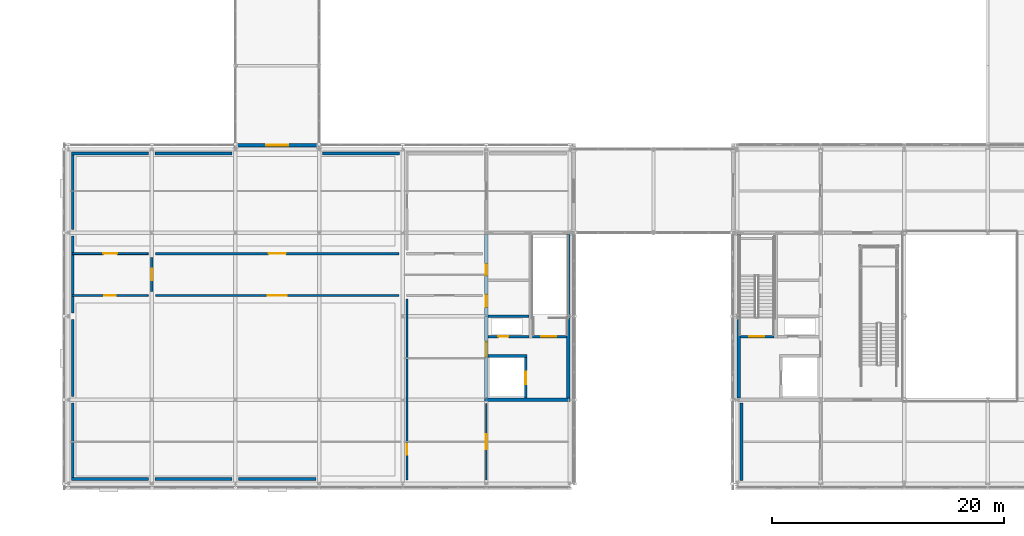
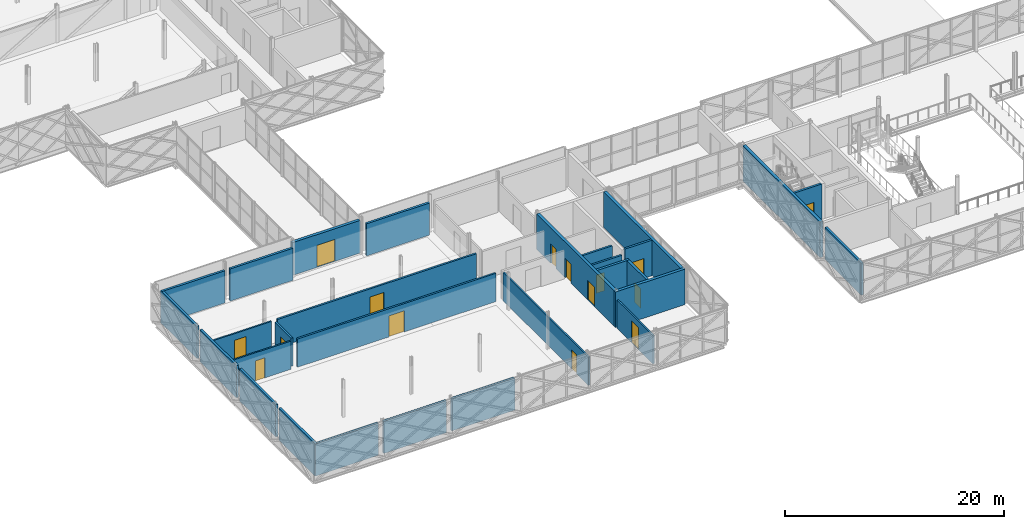
# One storey, part 101 of 126: 29 walls, 15 doors, 15 openings.
"""IFC4 building model written with IfcOpenShell, lengths in metres."""

from ifc_helpers import new_model, si_unit, direction, frame, frame_2d, origin, place, context, subcontext, project, spatial, rectangle, extrude, material, layer, layer_set, type_object, element, fill, save


model = new_model("IFC4")

# Units and contexts
model_context = context("Model", 3, precision=1e-05, world=origin(), true_north=direction((0.0, 1.0)))
body_context = subcontext(model_context, "Body", "Model", "MODEL_VIEW")
ifc_project = project(units=[si_unit("LENGTHUNIT", "METRE"), si_unit("AREAUNIT", "SQUARE_METRE"), si_unit("VOLUMEUNIT", "CUBIC_METRE"), si_unit("PLANEANGLEUNIT", "RADIAN"), si_unit("MASSUNIT", "GRAM", prefix="KILO")], contexts=[model_context])

# Site, building, storey
site_placement = place(None, origin())
site = spatial("IfcSite", under=ifc_project, at=site_placement, CompositionType="ELEMENT")
building_placement = place(site_placement, origin())
building = spatial("IfcBuilding", under=site, at=building_placement, Name="Zlatovets Crest Museum", CompositionType="ELEMENT")
storey_placement = place(building_placement, frame((0.0, 0.0, 8.699951171875)))
storey = spatial("IfcBuildingStorey", under=building, at=storey_placement, Name="L02", CompositionType="ELEMENT", Elevation=8.699951171875)

# Walls
ifc_material_1 = material(Name="Concrete C35/45", Category="concrete")
ifc_layer_1 = layer(ifc_material_1, 0.300048828125)
ifc_layer_set_1 = layer_set([ifc_layer_1], Name="Concrete C35/45")
wall_type_1 = type_object("IfcWallType", Name="CoreWall_SW01", PredefinedType="SHEAR", material=ifc_layer_set_1)
wall_1_placement = place(storey_placement, frame((57.75, 7.35009765625, 0.0), z_axis=(0.0, 0.0, 1.0), x_axis=(0.0, 1.0, 0.0)))
element("IfcWall", 1, at=wall_1_placement, inside=storey, type_object=wall_type_1, Name="Core C2 L02 Perimeter Shear Wall", PredefinedType="SHEAR", context=body_context, shape_type="SweptSolid", body=[
    extrude(rectangle(XDim=14.099853515625, YDim=0.300048828125, at=frame_2d((7.0498046875, 0.0))), origin(), (0.0, 0.0, 1.0), 3.9599609375),
])
wall_2_placement = place(storey_placement, frame((35.85009765625, 7.199951171875, 0.0), z_axis=(0.0, 0.0, 1.0), x_axis=(1.0, 0.0, 0.0)))
element("IfcWall", 2, at=wall_2_placement, inside=storey, type_object=wall_type_1, Name="Core C3 L02 South Shear Wall", PredefinedType="SHEAR", context=body_context, shape_type="SweptSolid", body=[
    extrude(rectangle(XDim=7.349853515625, YDim=0.300048828125, at=frame_2d((3.6748046875, 0.0))), origin(), (0.0, 0.0, 1.0), 3.9599609375),
])
wall_3_placement = place(storey_placement, frame((43.050048828125, 7.35009765625, 0.0), z_axis=(0.0, 0.0, 1.0), x_axis=(0.0, 1.0, 0.0)))
element("IfcWall", 3, at=wall_3_placement, inside=storey, type_object=wall_type_1, Name="Core C3 L02 Perimeter Shear Wall", PredefinedType="SHEAR", context=body_context, shape_type="SweptSolid", body=[
    extrude(rectangle(XDim=14.099853515625, YDim=0.300048828125, at=frame_2d((7.0498046875, 0.0))), origin(), (0.0, 0.0, 1.0), 3.9599609375),
])

# Wall, openings, doors
wall_4_placement = place(storey_placement, frame((36.0, 7.35009765625, 0.0), z_axis=(0.0, 0.0, 1.0), x_axis=(0.0, 1.0, 0.0)))
wall_4 = element("IfcWall", 4, at=wall_4_placement, inside=storey, type_object=wall_type_1, Name="Core C3 L02 Spine Shear Wall", PredefinedType="SHEAR", context=body_context, shape_type="SweptSolid", body=[
    extrude(rectangle(XDim=14.099853515625, YDim=0.300048828125, at=frame_2d((7.0498046875, 0.0))), origin(), (0.0, 0.0, 1.0), 3.9599609375),
])
opening_1_placement = place(wall_4_placement, frame((3.550048828125, 0.0, 0.0)))
opening_1 = element("IfcOpeningElement", 5, at=opening_1_placement, cuts=wall_4, Name="Opening FD-01", PredefinedType="OPENING", context=body_context, shape_type="SweptSolid", body=[
    extrude(rectangle(XDim=1.300048828125, YDim=2.199951171875, at=frame_2d((0.64990234375, 1.10009765625))), frame((0.0, 0.16015625, 0.0), z_axis=(0.0, -1.0, 0.0), x_axis=(1.0, 0.0, 0.0)), (0.0, 0.0, 1.0), 0.320068359375),
])
opening_2_placement = place(wall_4_placement, frame((7.85009765625, 0.0, 0.0)))
opening_2 = element("IfcOpeningElement", 6, at=opening_2_placement, cuts=wall_4, Name="Opening ID-02", PredefinedType="OPENING", context=body_context, shape_type="SweptSolid", body=[
    extrude(rectangle(XDim=1.050048828125, YDim=2.14990234375, at=frame_2d((0.52490234375, 1.074951171875))), frame((0.0, 0.16015625, 0.0), z_axis=(0.0, -1.0, 0.0), x_axis=(1.0, 0.0, 0.0)), (0.0, 0.0, 1.0), 0.320068359375),
])
opening_3_placement = place(wall_4_placement, frame((10.550048828125, 0.0, 0.0)))
opening_3 = element("IfcOpeningElement", 7, at=opening_3_placement, cuts=wall_4, Name="Opening ID-01", PredefinedType="OPENING", context=body_context, shape_type="SweptSolid", body=[
    extrude(rectangle(XDim=1.0, YDim=2.14990234375, at=frame_2d((0.5, 1.074951171875))), frame((0.0, 0.16015625, 0.0), z_axis=(0.0, -1.0, 0.0), x_axis=(1.0, 0.0, 0.0)), (0.0, 0.0, 1.0), 0.320068359375),
])
ifc_material_2 = material(Name="Smoke-sealed steel fire door", Category="steel")
door_type_1 = type_object("IfcDoorType", Name="IntDoor_FD-01", OperationType="NOTDEFINED", PredefinedType="DOOR", material=ifc_material_2)
door_1_placement = place(opening_1_placement, origin())
door_1 = element("IfcDoor", 8, at=door_1_placement, inside=storey, type_object=door_type_1, Name="CDOOR-C3-L02-LOB Core C3 L02 Lobby Fire Door", OperationType="SINGLE_SWING_RIGHT", OverallHeight=2.199951171875, OverallWidth=1.300048828125, PredefinedType="DOOR", context=body_context, shape_type="SweptSolid", body=[
    extrude(rectangle(XDim=1.300048828125, YDim=2.199951171875, at=frame_2d((0.64990234375, 1.10009765625))), frame((0.0, 0.02490234375, 0.0), z_axis=(0.0, -1.0, 0.0), x_axis=(1.0, 0.0, 0.0)), (0.0, 0.0, 1.0), 0.050048828125),
])
fill(opening_1, door_1)
ifc_material_3 = material(Name="Solid oak museum room door")
door_type_2 = type_object("IfcDoorType", Name="IntDoor_ID-01", OperationType="NOTDEFINED", PredefinedType="DOOR", material=ifc_material_3)
door_2_placement = place(opening_3_placement, origin())
door_2 = element("IfcDoor", 9, at=door_2_placement, inside=storey, type_object=door_type_2, Name="CDOOR-C3-L02-WC Core C3 L02 Public Restroom Door", OperationType="SINGLE_SWING_RIGHT", OverallHeight=2.14990234375, OverallWidth=1.0, PredefinedType="DOOR", context=body_context, shape_type="SweptSolid", body=[
    extrude(rectangle(XDim=1.0, YDim=2.14990234375, at=frame_2d((0.5, 1.074951171875))), frame((0.0, 0.02490234375, 0.0), z_axis=(0.0, -1.0, 0.0), x_axis=(1.0, 0.0, 0.0)), (0.0, 0.0, 1.0), 0.050048828125),
])
fill(opening_3, door_2)
ifc_material_4 = material(Name="Accessible sanitary room door")
door_type_3 = type_object("IfcDoorType", Name="IntDoor_ID-02", OperationType="NOTDEFINED", PredefinedType="DOOR", material=ifc_material_4)
door_3_placement = place(opening_2_placement, origin())
door_3 = element("IfcDoor", 10, at=door_3_placement, inside=storey, type_object=door_type_3, Name="CDOOR-C3-L02-AWC Core C3 L02 Accessible WC Door", OperationType="SINGLE_SWING_LEFT", OverallHeight=2.14990234375, OverallWidth=1.050048828125, PredefinedType="DOOR", context=body_context, shape_type="SweptSolid", body=[
    extrude(rectangle(XDim=1.050048828125, YDim=2.14990234375, at=frame_2d((0.52490234375, 1.074951171875))), frame((0.0, 0.02490234375, 0.0), z_axis=(0.0, -1.0, 0.0), x_axis=(1.0, 0.0, 0.0)), (0.0, 0.0, 1.0), 0.050048828125),
])
fill(opening_2, door_3)

# Wall, opening, door
ifc_layer_2 = layer(ifc_material_1, 0.25)
ifc_layer_set_2 = layer_set([ifc_layer_2], Name="Concrete C35/45")
wall_type_2 = type_object("IfcWallType", Name="CoreWall_SW02", PredefinedType="SHEAR", material=ifc_layer_set_2)
wall_5_placement = place(storey_placement, frame((57.89990234375, 12.64990234375, 0.0), z_axis=(0.0, 0.0, 1.0), x_axis=(1.0, 0.0, 0.0)))
wall_5 = element("IfcWall", 11, at=wall_5_placement, inside=storey, type_object=wall_type_2, Name="Core C2 L02 Stairwell Fire Wall", PredefinedType="SHEAR", context=body_context, shape_type="SweptSolid", body=[
    extrude(rectangle(XDim=2.900146484375, YDim=0.219970703125, at=frame_2d((1.4501953125, 0.0))), origin(), (0.0, 0.0, 1.0), 3.9599609375),
])
opening_4_placement = place(wall_5_placement, frame((0.75, 0.0, 0.0)))
opening_4 = element("IfcOpeningElement", 12, at=opening_4_placement, cuts=wall_5, Name="Opening FD-01", PredefinedType="OPENING", context=body_context, shape_type="SweptSolid", body=[
    extrude(rectangle(XDim=1.300048828125, YDim=2.199951171875, at=frame_2d((0.64990234375, 1.10009765625))), frame((0.0, 0.1201171875, 0.0), z_axis=(0.0, -1.0, 0.0), x_axis=(1.0, 0.0, 0.0)), (0.0, 0.0, 1.0), 0.239990234375),
])
door_4_placement = place(opening_4_placement, origin())
door_4 = element("IfcDoor", 13, at=door_4_placement, inside=storey, type_object=door_type_1, Name="SDOOR-ST2-L02 Stair ST2 L02 Fire Door", OperationType="SINGLE_SWING_LEFT", OverallHeight=2.199951171875, OverallWidth=1.300048828125, PredefinedType="DOOR", context=body_context, shape_type="SweptSolid", body=[
    extrude(rectangle(XDim=1.300048828125, YDim=2.199951171875, at=frame_2d((0.64990234375, 1.10009765625))), frame((0.0, 0.02490234375, 0.0), z_axis=(0.0, -1.0, 0.0), x_axis=(1.0, 0.0, 0.0)), (0.0, 0.0, 1.0), 0.050048828125),
])
fill(opening_4, door_4)

wall_6_placement = place(storey_placement, frame((39.39990234375, 7.35009765625, 0.0), z_axis=(0.0, 0.0, 1.0), x_axis=(0.0, 1.0, 0.0)))
wall_6 = element("IfcWall", 14, at=wall_6_placement, inside=storey, type_object=wall_type_2, Name="Core C3 L02 Lift Shaft Wall", PredefinedType="SHEAR", context=body_context, shape_type="SweptSolid", body=[
    extrude(rectangle(XDim=3.52490234375, YDim=0.25, at=frame_2d((1.762451171875, 0.0))), origin(), (0.0, 0.0, 1.0), 3.9599609375),
])
opening_5_placement = place(wall_6_placement, frame((1.199951171875, 0.0, 0.0)))
opening_5 = element("IfcOpeningElement", 15, at=opening_5_placement, cuts=wall_6, Name="Opening LD-01", PredefinedType="OPENING", context=body_context, shape_type="SweptSolid", body=[
    extrude(rectangle(XDim=1.10009765625, YDim=2.14990234375, at=frame_2d((0.550048828125, 1.074951171875))), frame((0.0, 0.135009765625, 0.0), z_axis=(0.0, -1.0, 0.0), x_axis=(1.0, 0.0, 0.0)), (0.0, 0.0, 1.0), 0.27001953125),
])
ifc_material_5 = material(Name="Stainless-bronze sliding lift landing door")
door_type_4 = type_object("IfcDoorType", Name="IntDoor_LD-01", OperationType="SLIDING_TO_LEFT", PredefinedType="DOOR", material=ifc_material_5)
door_5_placement = place(opening_5_placement, origin())
door_5 = element("IfcDoor", 16, at=door_5_placement, inside=storey, type_object=door_type_4, Name="LDOOR-PL1-L02 Lift PL1 L02 Sliding Landing Door", OperationType="SLIDING_TO_LEFT", OverallHeight=2.14990234375, OverallWidth=1.10009765625, PredefinedType="DOOR", context=body_context, shape_type="SweptSolid", body=[
    extrude(rectangle(XDim=1.10009765625, YDim=2.14990234375, at=frame_2d((0.550048828125, 1.074951171875))), frame((0.0, 0.02490234375, 0.0), z_axis=(0.0, -1.0, 0.0), x_axis=(1.0, 0.0, 0.0)), (0.0, 0.0, 1.0), 0.050048828125),
])
fill(opening_5, door_5)

wall_7_placement = place(storey_placement, frame((40.0, 12.64990234375, 0.0), z_axis=(0.0, 0.0, 1.0), x_axis=(1.0, 0.0, 0.0)))
wall_7 = element("IfcWall", 17, at=wall_7_placement, inside=storey, type_object=wall_type_2, Name="Core C3 L02 Stairwell Fire Wall", PredefinedType="SHEAR", context=body_context, shape_type="SweptSolid", body=[
    extrude(rectangle(XDim=2.89990234375, YDim=0.219970703125, at=frame_2d((1.449951171875, 0.0))), origin(), (0.0, 0.0, 1.0), 3.9599609375),
])
opening_6_placement = place(wall_7_placement, frame((0.75, 0.0, 0.0)))
opening_6 = element("IfcOpeningElement", 18, at=opening_6_placement, cuts=wall_7, Name="Opening FD-01", PredefinedType="OPENING", context=body_context, shape_type="SweptSolid", body=[
    extrude(rectangle(XDim=1.300048828125, YDim=2.199951171875, at=frame_2d((0.64990234375, 1.10009765625))), frame((0.0, 0.1201171875, 0.0), z_axis=(0.0, -1.0, 0.0), x_axis=(1.0, 0.0, 0.0)), (0.0, 0.0, 1.0), 0.239990234375),
])
door_6_placement = place(opening_6_placement, origin())
door_6 = element("IfcDoor", 19, at=door_6_placement, inside=storey, type_object=door_type_1, Name="SDOOR-ST3-L02 Stair ST3 L02 Fire Door", OperationType="SINGLE_SWING_LEFT", OverallHeight=2.199951171875, OverallWidth=1.300048828125, PredefinedType="DOOR", context=body_context, shape_type="SweptSolid", body=[
    extrude(rectangle(XDim=1.300048828125, YDim=2.199951171875, at=frame_2d((0.64990234375, 1.10009765625))), frame((0.0, 0.02490234375, 0.0), z_axis=(0.0, -1.0, 0.0), x_axis=(1.0, 0.0, 0.0)), (0.0, 0.0, 1.0), 0.050048828125),
])
fill(opening_6, door_6)

# Walls
wall_8_placement = place(storey_placement, frame((36.14990234375, 11.0, 0.0), z_axis=(0.0, 0.0, 1.0), x_axis=(1.0, 0.0, 0.0)))
element("IfcWall", 20, at=wall_8_placement, inside=storey, type_object=wall_type_2, Name="Core C3 L02 Lift Shaft North Shear Wall", PredefinedType="SHEAR", context=body_context, shape_type="SweptSolid", body=[
    extrude(rectangle(XDim=3.375, YDim=0.25, at=frame_2d((1.6875, 0.0))), origin(), (0.0, 0.0, 1.0), 3.9599609375),
])
ifc_material_6 = material(Name="Insulated gallery conservation liner wall", Category="concrete")
ifc_layer_3 = layer(ifc_material_6, 0.300048828125)
ifc_layer_set_3 = layer_set([ifc_layer_3], Name="Insulated gallery conservation liner wall")
wall_type_3 = type_object("IfcWallType", Name="ExtWall_EW-02", PredefinedType="STANDARD", material=ifc_layer_set_3)
wall_9_placement = place(storey_placement, frame((57.97998046875, 6.919921875, 0.0), z_axis=(0.0, 0.0, 1.0), x_axis=(0.0, -1.0, 0.0)))
element("IfcWall", 21, at=wall_9_placement, inside=storey, type_object=wall_type_3, Name="V2 L02 Interior Conservation Gallery Liner Wall", PredefinedType="STANDARD", context=body_context, shape_type="SweptSolid", body=[
    extrude(rectangle(XDim=6.639892578125, YDim=0.239990234375, at=frame_2d((3.31982421875, 0.0))), origin(), (0.0, 0.0, 1.0), 3.56005859375),
])
wall_10_placement = place(storey_placement, frame((0.280029296875, 0.3798828125, 0.0), z_axis=(0.0, 0.0, 1.0), x_axis=(1.0, 0.0, 0.0)))
element("IfcWall", 22, at=wall_10_placement, inside=storey, type_object=wall_type_3, Name="V3 L02 Interior Conservation Gallery Liner Wall", PredefinedType="STANDARD", context=body_context, shape_type="SweptSolid", body=[
    extrude(rectangle(XDim=6.639892578125, YDim=0.239990234375, at=frame_2d((3.31982421875, 0.0))), origin(), (0.0, 0.0, 1.0), 3.580078125),
])
for number, where, z_axis, x_axis, name in (
    (23, (7.47998046875, 0.3798828125, 0.0), (0.0, 0.0, 1.0), (1.0, 0.0, 0.0), "V3 L02 Interior Conservation Gallery Liner Wall"),
    (24, (14.679931640625, 0.3798828125, 0.0), (0.0, 0.0, 1.0), (1.0, 0.0, 0.0), "V3 L02 Interior Conservation Gallery Liner Wall"),
    (25, (28.52001953125, 28.419921875, 0.0), (0.0, 0.0, 1.0), (-1.0, 0.0, 0.0), "V3 L02 Interior Conservation Gallery Liner Wall"),
):
    element("IfcWall", number, at=place(storey_placement, frame(where, z_axis=z_axis, x_axis=x_axis)), inside=storey, type_object=wall_type_3, Name=name, PredefinedType="STANDARD", context=body_context, shape_type="SweptSolid", body=[
        extrude(rectangle(XDim=6.64013671875, YDim=0.239990234375, at=frame_2d((3.320068359375, 0.0))), origin(), (0.0, 0.0, 1.0), 3.580078125),
    ])

# Wall, opening, door
wall_11_placement = place(storey_placement, frame((21.60009765625, 29.139892578125, 0.0), z_axis=(0.0, 0.0, 1.0), x_axis=(-1.0, 0.0, 0.0)))
wall_11 = element("IfcWall", 26, at=wall_11_placement, inside=storey, type_object=wall_type_3, Name="V3 L02 Bridge Portal Wall", PredefinedType="STANDARD", context=body_context, shape_type="SweptSolid", body=[
    extrude(rectangle(XDim=7.2001953125, YDim=0.300048828125, at=frame_2d((3.60009765625, 0.0))), origin(), (0.0, 0.0, 1.0), 3.650146484375),
])
opening_7_placement = place(wall_11_placement, frame((2.64990234375, 0.0, 0.0)))
opening_7 = element("IfcOpeningElement", 27, at=opening_7_placement, cuts=wall_11, Name="Opening ED-02", PredefinedType="OPENING", context=body_context, shape_type="SweptSolid", body=[
    extrude(rectangle(XDim=1.89990234375, YDim=2.449951171875, at=frame_2d((0.949951171875, 1.22509765625))), frame((0.0, 0.16015625, 0.0), z_axis=(0.0, -1.0, 0.0), x_axis=(1.0, 0.0, 0.0)), (0.0, 0.0, 1.0), 0.320068359375),
])
ifc_material_7 = material(Name="Bronze-clad insulated steel door", Category="steel")
door_type_5 = type_object("IfcDoorType", Name="ExtDoor_ED-02", OperationType="NOTDEFINED", PredefinedType="DOOR", material=ifc_material_7)
door_7_placement = place(opening_7_placement, origin())
door_7 = element("IfcDoor", 28, at=door_7_placement, inside=storey, type_object=door_type_5, Name="ED-V3-L02-BR032 V3 L02 Bridge Link Portal Door", OperationType="DOUBLE_DOOR_SINGLE_SWING", OverallHeight=2.449951171875, OverallWidth=1.89990234375, PredefinedType="DOOR", context=body_context, shape_type="SweptSolid", body=[
    extrude(rectangle(XDim=1.89990234375, YDim=2.449951171875, at=frame_2d((0.949951171875, 1.22509765625))), frame((0.0, 0.02490234375, 0.0), z_axis=(0.0, -1.0, 0.0), x_axis=(1.0, 0.0, 0.0)), (0.0, 0.0, 1.0), 0.050048828125),
])
fill(opening_7, door_7)

# Walls
wall_12_placement = place(storey_placement, frame((14.1201171875, 28.419921875, 0.0), z_axis=(0.0, 0.0, 1.0), x_axis=(-1.0, 0.0, 0.0)))
element("IfcWall", 29, at=wall_12_placement, inside=storey, type_object=wall_type_3, Name="V3 L02 Interior Conservation Gallery Liner Wall", PredefinedType="STANDARD", context=body_context, shape_type="SweptSolid", body=[
    extrude(rectangle(XDim=6.64013671875, YDim=0.239990234375, at=frame_2d((3.320068359375, 0.0))), origin(), (0.0, 0.0, 1.0), 3.580078125),
])
wall_13_placement = place(storey_placement, frame((6.919921875, 28.419921875, 0.0), z_axis=(0.0, 0.0, 1.0), x_axis=(-1.0, 0.0, 0.0)))
element("IfcWall", 30, at=wall_13_placement, inside=storey, type_object=wall_type_3, Name="V3 L02 Interior Conservation Gallery Liner Wall", PredefinedType="STANDARD", context=body_context, shape_type="SweptSolid", body=[
    extrude(rectangle(XDim=6.639892578125, YDim=0.239990234375, at=frame_2d((3.31982421875, 0.0))), origin(), (0.0, 0.0, 1.0), 3.580078125),
])
for number, where, z_axis, x_axis, name in (
    (31, (0.3798828125, 28.52001953125, 0.0), (0.0, 0.0, 1.0), (0.0, -1.0, 0.0), "V3 L02 Interior Conservation Gallery Liner Wall"),
    (32, (0.3798828125, 21.320068359375, 0.0), (0.0, 0.0, 1.0), (0.0, -1.0, 0.0), "V3 L02 Interior Conservation Gallery Liner Wall"),
    (33, (0.3798828125, 14.1201171875, 0.0), (0.0, 0.0, 1.0), (0.0, -1.0, 0.0), "V3 L02 Interior Conservation Gallery Liner Wall"),
):
    element("IfcWall", number, at=place(storey_placement, frame(where, z_axis=z_axis, x_axis=x_axis)), inside=storey, type_object=wall_type_3, Name=name, PredefinedType="STANDARD", context=body_context, shape_type="SweptSolid", body=[
        extrude(rectangle(XDim=6.64013671875, YDim=0.239990234375, at=frame_2d((3.320068359375, 0.0))), origin(), (0.0, 0.0, 1.0), 3.580078125),
    ])
wall_14_placement = place(storey_placement, frame((0.3798828125, 6.919921875, 0.0), z_axis=(0.0, 0.0, 1.0), x_axis=(0.0, -1.0, 0.0)))
element("IfcWall", 34, at=wall_14_placement, inside=storey, type_object=wall_type_3, Name="V3 L02 Interior Conservation Gallery Liner Wall", PredefinedType="STANDARD", context=body_context, shape_type="SweptSolid", body=[
    extrude(rectangle(XDim=6.639892578125, YDim=0.239990234375, at=frame_2d((3.31982421875, 0.0))), origin(), (0.0, 0.0, 1.0), 3.580078125),
])

# Wall, opening, door
ifc_material_8 = material(Name="Gypsum-encased fire compartment partition")
ifc_layer_4 = layer(ifc_material_8, 0.199951171875)
ifc_layer_set_4 = layer_set([ifc_layer_4], Name="Gypsum-encased fire compartment partition")
wall_type_4 = type_object("IfcWallType", Name="PartWall_PT-01", PredefinedType="PARTITIONING", material=ifc_layer_set_4)
wall_15_placement = place(storey_placement, frame((7.52001953125, 16.199951171875, 0.0), z_axis=(0.0, 0.0, 1.0), x_axis=(1.0, 0.0, 0.0)))
wall_15 = element("IfcWall", 35, at=wall_15_placement, inside=storey, type_object=wall_type_4, Name="V3 L02 Interior Partition PT-01", PredefinedType="PARTITIONING", context=body_context, shape_type="SweptSolid", body=[
    extrude(rectangle(XDim=20.9599609375, YDim=0.199951171875, at=frame_2d((10.47998046875, 0.0))), origin(), (0.0, 0.0, 1.0), 3.150146484375),
])
opening_8_placement = place(wall_15_placement, frame((9.679931640625, 0.0, 0.0)))
opening_8 = element("IfcOpeningElement", 36, at=opening_8_placement, cuts=wall_15, Name="Opening ID-04", PredefinedType="OPENING", context=body_context, shape_type="SweptSolid", body=[
    extrude(rectangle(XDim=1.60009765625, YDim=2.35009765625, at=frame_2d((0.800048828125, 1.175048828125))), frame((0.0, 0.10986328125, 0.0), z_axis=(0.0, -1.0, 0.0), x_axis=(1.0, 0.0, 0.0)), (0.0, 0.0, 1.0), 0.219970703125),
])
ifc_material_9 = material(Name="Gallery salon double portal door")
door_type_6 = type_object("IfcDoorType", Name="IntDoor_ID-04", OperationType="DOUBLE_DOOR_SINGLE_SWING", PredefinedType="DOOR", material=ifc_material_9)
door_8_placement = place(opening_8_placement, origin())
door_8 = element("IfcDoor", 37, at=door_8_placement, inside=storey, type_object=door_type_6, Name="IDOOR-V3-L02-0155 Pavilion Gallery Corridor to Sofia Architectural Heritage Gallery Door", OperationType="DOUBLE_DOOR_SINGLE_SWING", OverallHeight=2.35009765625, OverallWidth=1.60009765625, PredefinedType="DOOR", context=body_context, shape_type="SweptSolid", body=[
    extrude(rectangle(XDim=1.60009765625, YDim=2.35009765625, at=frame_2d((0.800048828125, 1.175048828125))), frame((0.0, 0.02490234375, 0.0), z_axis=(0.0, -1.0, 0.0), x_axis=(1.0, 0.0, 0.0)), (0.0, 0.0, 1.0), 0.050048828125),
])
fill(opening_8, door_8)

wall_16_placement = place(storey_placement, frame((7.52001953125, 19.800048828125, 0.0), z_axis=(0.0, 0.0, 1.0), x_axis=(1.0, 0.0, 0.0)))
wall_16 = element("IfcWall", 38, at=wall_16_placement, inside=storey, type_object=wall_type_4, Name="V3 L02 Interior Partition PT-01", PredefinedType="PARTITIONING", context=body_context, shape_type="SweptSolid", body=[
    extrude(rectangle(XDim=20.9599609375, YDim=0.199951171875, at=frame_2d((10.47998046875, 0.0))), origin(), (0.0, 0.0, 1.0), 3.150146484375),
])
opening_9_placement = place(wall_16_placement, frame((9.72998046875, 0.0, 0.0)))
opening_9 = element("IfcOpeningElement", 39, at=opening_9_placement, cuts=wall_16, Name="Opening FD-02", PredefinedType="OPENING", context=body_context, shape_type="SweptSolid", body=[
    extrude(rectangle(XDim=1.5, YDim=2.25, at=frame_2d((0.75, 1.125))), frame((0.0, 0.10986328125, 0.0), z_axis=(0.0, -1.0, 0.0), x_axis=(1.0, 0.0, 0.0)), (0.0, 0.0, 1.0), 0.219970703125),
])
ifc_material_10 = material(Name="Double corridor compartment fire door")
door_type_7 = type_object("IfcDoorType", Name="IntDoor_FD-02", OperationType="DOUBLE_DOOR_SINGLE_SWING", PredefinedType="DOOR", material=ifc_material_10)
door_9_placement = place(opening_9_placement, origin())
door_9 = element("IfcDoor", 40, at=door_9_placement, inside=storey, type_object=door_type_7, Name="IDOOR-V3-L02-0156 Pavilion Gallery Corridor to Industrial and Graphic Design Salon Door", OperationType="DOUBLE_DOOR_SINGLE_SWING", OverallHeight=2.25, OverallWidth=1.5, PredefinedType="DOOR", context=body_context, shape_type="SweptSolid", body=[
    extrude(rectangle(XDim=1.5, YDim=2.25, at=frame_2d((0.75, 1.125))), frame((0.0, 0.02490234375, 0.0), z_axis=(0.0, -1.0, 0.0), x_axis=(1.0, 0.0, 0.0)), (0.0, 0.0, 1.0), 0.050048828125),
])
fill(opening_9, door_9)

wall_17_placement = place(storey_placement, frame((7.199951171875, 16.52001953125, 0.0), z_axis=(0.0, 0.0, 1.0), x_axis=(0.0, 1.0, 0.0)))
wall_17 = element("IfcWall", 41, at=wall_17_placement, inside=storey, type_object=wall_type_4, Name="V3 L02 Interior Partition PT-01", PredefinedType="PARTITIONING", context=body_context, shape_type="SweptSolid", body=[
    extrude(rectangle(XDim=2.9599609375, YDim=0.199951171875, at=frame_2d((1.47998046875, 0.0))), origin(), (0.0, 0.0, 1.0), 3.150146484375),
])
opening_10_placement = place(wall_17_placement, frame((0.97998046875, 0.0, 0.0)))
opening_10 = element("IfcOpeningElement", 42, at=opening_10_placement, cuts=wall_17, Name="Opening ID-01", PredefinedType="OPENING", context=body_context, shape_type="SweptSolid", body=[
    extrude(rectangle(XDim=1.0, YDim=2.14990234375, at=frame_2d((0.5, 1.074951171875))), frame((0.0, 0.10986328125, 0.0), z_axis=(0.0, -1.0, 0.0), x_axis=(1.0, 0.0, 0.0)), (0.0, 0.0, 1.0), 0.219970703125),
])
door_10_placement = place(opening_10_placement, origin())
door_10 = element("IfcDoor", 43, at=door_10_placement, inside=storey, type_object=door_type_2, Name="IDOOR-V3-L02-0159 Pavilion Gallery Corridor to Poster Cabinet Door", OperationType="SINGLE_SWING_RIGHT", OverallHeight=2.14990234375, OverallWidth=1.0, PredefinedType="DOOR", context=body_context, shape_type="SweptSolid", body=[
    extrude(rectangle(XDim=1.0, YDim=2.14990234375, at=frame_2d((0.5, 1.074951171875))), frame((0.0, 0.02490234375, 0.0), z_axis=(0.0, -1.0, 0.0), x_axis=(1.0, 0.0, 0.0)), (0.0, 0.0, 1.0), 0.050048828125),
])
fill(opening_10, door_10)

ifc_material_11 = material(Name="Acoustic museum gallery stud partition")
ifc_layer_5 = layer(ifc_material_11, 0.159912109375)
ifc_layer_set_5 = layer_set([ifc_layer_5], Name="Acoustic museum gallery stud partition")
wall_type_5 = type_object("IfcWallType", Name="PartWall_PT-02", PredefinedType="PARTITIONING", material=ifc_layer_set_5)
wall_18_placement = place(storey_placement, frame((29.179931640625, 0.320068359375, 0.0), z_axis=(0.0, 0.0, 1.0), x_axis=(0.0, 1.0, 0.0)))
wall_18 = element("IfcWall", 44, at=wall_18_placement, inside=storey, type_object=wall_type_5, Name="V3 L02 Interior Partition PT-02", PredefinedType="PARTITIONING", context=body_context, shape_type="SweptSolid", body=[
    extrude(rectangle(XDim=15.559814453125, YDim=0.159912109375, at=frame_2d((7.77978515625, 0.0))), origin(), (0.0, 0.0, 1.0), 3.150146484375),
])
opening_11_placement = place(wall_18_placement, frame((2.143310546875, 0.0, 0.0)))
opening_11 = element("IfcOpeningElement", 45, at=opening_11_placement, cuts=wall_18, Name="Opening ID-17", PredefinedType="OPENING", context=body_context, shape_type="SweptSolid", body=[
    extrude(rectangle(XDim=0.89990234375, YDim=2.10009765625, at=frame_2d((0.449951171875, 1.050048828125))), frame((0.0, 0.08984375, 0.0), z_axis=(0.0, -1.0, 0.0), x_axis=(1.0, 0.0, 0.0)), (0.0, 0.0, 1.0), 0.179931640625),
])
ifc_material_12 = material(Name="Plant technical access door")
door_type_8 = type_object("IfcDoorType", Name="IntDoor_ID-17", OperationType="NOTDEFINED", PredefinedType="DOOR", material=ifc_material_12)
door_11_placement = place(opening_11_placement, origin())
door_11 = element("IfcDoor", 46, at=door_11_placement, inside=storey, type_object=door_type_8, Name="IDOOR-V3-L02-0160 Sofia Architectural Heritage Gallery to Symposium and Lecture Salon Door", OperationType="SINGLE_SWING_LEFT", OverallHeight=2.10009765625, OverallWidth=0.89990234375, PredefinedType="DOOR", context=body_context, shape_type="SweptSolid", body=[
    extrude(rectangle(XDim=0.89990234375, YDim=2.10009765625, at=frame_2d((0.449951171875, 1.050048828125))), frame((0.0, 0.02490234375, 0.0), z_axis=(0.0, -1.0, 0.0), x_axis=(1.0, 0.0, 0.0)), (0.0, 0.0, 1.0), 0.050048828125),
])
fill(opening_11, door_11)

wall_19_placement = place(storey_placement, frame((0.320068359375, 16.199951171875, 0.0), z_axis=(0.0, 0.0, 1.0), x_axis=(1.0, 0.0, 0.0)))
wall_19 = element("IfcWall", 47, at=wall_19_placement, inside=storey, type_object=wall_type_5, Name="V3 L02 Interior Partition PT-02", PredefinedType="PARTITIONING", context=body_context, shape_type="SweptSolid", body=[
    extrude(rectangle(XDim=6.559814453125, YDim=0.159912109375, at=frame_2d((3.27978515625, 0.0))), origin(), (0.0, 0.0, 1.0), 3.150146484375),
])
opening_12_placement = place(wall_19_placement, frame((2.780029296875, 0.0, 0.0)))
opening_12 = element("IfcOpeningElement", 48, at=opening_12_placement, cuts=wall_19, Name="Opening ID-18", PredefinedType="OPENING", context=body_context, shape_type="SweptSolid", body=[
    extrude(rectangle(XDim=1.0, YDim=2.25, at=frame_2d((0.5, 1.125))), frame((0.0, 0.08984375, 0.0), z_axis=(0.0, -1.0, 0.0), x_axis=(1.0, 0.0, 0.0)), (0.0, 0.0, 1.0), 0.179931640625),
])
ifc_material_13 = material(Name="Registrar office tall oak door")
door_type_9 = type_object("IfcDoorType", Name="IntDoor_ID-18", OperationType="NOTDEFINED", PredefinedType="DOOR", material=ifc_material_13)
door_12_placement = place(opening_12_placement, origin())
door_12 = element("IfcDoor", 49, at=door_12_placement, inside=storey, type_object=door_type_9, Name="IDOOR-V3-L02-0161 Sofia Architectural Heritage Gallery to Poster Cabinet Door", OperationType="SINGLE_SWING_RIGHT", OverallHeight=2.25, OverallWidth=1.0, PredefinedType="DOOR", context=body_context, shape_type="SweptSolid", body=[
    extrude(rectangle(XDim=1.0, YDim=2.25, at=frame_2d((0.5, 1.125))), frame((0.0, 0.02490234375, 0.0), z_axis=(0.0, -1.0, 0.0), x_axis=(1.0, 0.0, 0.0)), (0.0, 0.0, 1.0), 0.050048828125),
])
fill(opening_12, door_12)

wall_20_placement = place(storey_placement, frame((0.320068359375, 19.800048828125, 0.0), z_axis=(0.0, 0.0, 1.0), x_axis=(1.0, 0.0, 0.0)))
wall_20 = element("IfcWall", 50, at=wall_20_placement, inside=storey, type_object=wall_type_5, Name="V3 L02 Interior Partition PT-02", PredefinedType="PARTITIONING", context=body_context, shape_type="SweptSolid", body=[
    extrude(rectangle(XDim=6.559814453125, YDim=0.159912109375, at=frame_2d((3.27978515625, 0.0))), origin(), (0.0, 0.0, 1.0), 3.150146484375),
])
opening_13_placement = place(wall_20_placement, frame((2.679931640625, 0.0, 0.0)))
opening_13 = element("IfcOpeningElement", 51, at=opening_13_placement, cuts=wall_20, Name="Opening ID-20", PredefinedType="OPENING", context=body_context, shape_type="SweptSolid", body=[
    extrude(rectangle(XDim=1.199951171875, YDim=2.39990234375, at=frame_2d((0.60009765625, 1.199951171875))), frame((0.0, 0.08984375, 0.0), z_axis=(0.0, -1.0, 0.0), x_axis=(1.0, 0.0, 0.0)), (0.0, 0.0, 1.0), 0.179931640625),
])
ifc_material_14 = material(Name="Laboratory equipment leaf door")
door_type_10 = type_object("IfcDoorType", Name="IntDoor_ID-20", OperationType="NOTDEFINED", PredefinedType="DOOR", material=ifc_material_14)
door_13_placement = place(opening_13_placement, origin())
door_13 = element("IfcDoor", 52, at=door_13_placement, inside=storey, type_object=door_type_10, Name="IDOOR-V3-L02-0163 Industrial and Graphic Design Salon to Poster Cabinet Door", OperationType="SINGLE_SWING_RIGHT", OverallHeight=2.39990234375, OverallWidth=1.199951171875, PredefinedType="DOOR", context=body_context, shape_type="SweptSolid", body=[
    extrude(rectangle(XDim=1.199951171875, YDim=2.39990234375, at=frame_2d((0.60009765625, 1.199951171875))), frame((0.0, 0.02490234375, 0.0), z_axis=(0.0, -1.0, 0.0), x_axis=(1.0, 0.0, 0.0)), (0.0, 0.0, 1.0), 0.050048828125),
])
fill(opening_13, door_13)

wall_21_placement = place(storey_placement, frame((36.0, 0.320068359375, 0.0), z_axis=(0.0, 0.0, 1.0), x_axis=(0.0, 1.0, 0.0)))
wall_21 = element("IfcWall", 53, at=wall_21_placement, inside=storey, type_object=wall_type_5, Name="V3 L02 Interior Partition PT-02", PredefinedType="PARTITIONING", context=body_context, shape_type="SweptSolid", body=[
    extrude(rectangle(XDim=6.559814453125, YDim=0.159912109375, at=frame_2d((3.27978515625, 0.0))), origin(), (0.0, 0.0, 1.0), 3.150146484375),
])
opening_14_placement = place(wall_21_placement, frame((2.6298828125, 0.0, 0.0)))
opening_14 = element("IfcOpeningElement", 54, at=opening_14_placement, cuts=wall_21, Name="Opening ID-21", PredefinedType="OPENING", context=body_context, shape_type="SweptSolid", body=[
    extrude(rectangle(XDim=1.300048828125, YDim=2.449951171875, at=frame_2d((0.64990234375, 1.22509765625))), frame((0.0, 0.08984375, 0.0), z_axis=(0.0, -1.0, 0.0), x_axis=(1.0, 0.0, 0.0)), (0.0, 0.0, 1.0), 0.179931640625),
])
ifc_material_15 = material(Name="Restoration studio tall door")
door_type_11 = type_object("IfcDoorType", Name="IntDoor_ID-21", OperationType="NOTDEFINED", PredefinedType="DOOR", material=ifc_material_15)
door_14_placement = place(opening_14_placement, origin())
door_14 = element("IfcDoor", 55, at=door_14_placement, inside=storey, type_object=door_type_11, Name="IDOOR-V3-L02-0164 Symposium and Lecture Salon to Bridge Foyer L02 Door", OperationType="SINGLE_SWING_LEFT", OverallHeight=2.449951171875, OverallWidth=1.300048828125, PredefinedType="DOOR", context=body_context, shape_type="SweptSolid", body=[
    extrude(rectangle(XDim=1.300048828125, YDim=2.449951171875, at=frame_2d((0.64990234375, 1.22509765625))), frame((0.0, 0.02490234375, 0.0), z_axis=(0.0, -1.0, 0.0), x_axis=(1.0, 0.0, 0.0)), (0.0, 0.0, 1.0), 0.050048828125),
])
fill(opening_14, door_14)

ifc_material_16 = material(Name="Sanitary core acoustic service wall")
ifc_layer_6 = layer(ifc_material_16, 0.219970703125)
ifc_layer_set_6 = layer_set([ifc_layer_6], Name="Sanitary core acoustic service wall")
wall_type_6 = type_object("IfcWallType", Name="PartWall_PT-04", PredefinedType="PLUMBINGWALL", material=ifc_layer_set_6)
wall_22_placement = place(storey_placement, frame((36.14990234375, 12.64990234375, 0.0), z_axis=(0.0, 0.0, 1.0), x_axis=(1.0, 0.0, 0.0)))
wall_22 = element("IfcWall", 56, at=wall_22_placement, inside=storey, type_object=wall_type_6, Name="Core C3 L02 Riser Lobby Wall", PredefinedType="PLUMBINGWALL", context=body_context, shape_type="SweptSolid", body=[
    extrude(rectangle(XDim=3.550048828125, YDim=0.199951171875, at=frame_2d((1.77490234375, 0.0))), origin(), (0.0, 0.0, 1.0), 3.380126953125),
])
opening_15_placement = place(wall_22_placement, frame((0.89990234375, 0.0, 0.0)))
opening_15 = element("IfcOpeningElement", 57, at=opening_15_placement, cuts=wall_22, Name="Opening FD-03", PredefinedType="OPENING", context=body_context, shape_type="SweptSolid", body=[
    extrude(rectangle(XDim=0.85009765625, YDim=2.050048828125, at=frame_2d((0.425048828125, 1.02490234375))), frame((0.0, 0.10986328125, 0.0), z_axis=(0.0, -1.0, 0.0), x_axis=(1.0, 0.0, 0.0)), (0.0, 0.0, 1.0), 0.219970703125),
])
ifc_material_17 = material(Name="Steel riser shaft access fire door", Category="steel")
door_type_12 = type_object("IfcDoorType", Name="IntDoor_FD-03", OperationType="NOTDEFINED", PredefinedType="TRAPDOOR", material=ifc_material_17)
door_15_placement = place(opening_15_placement, origin())
door_15 = element("IfcDoor", 58, at=door_15_placement, inside=storey, type_object=door_type_12, Name="CDOOR-C3-L02-RIS Core C3 L02 Riser Access Door", OperationType="SINGLE_SWING_RIGHT", OverallHeight=2.050048828125, OverallWidth=0.85009765625, PredefinedType="TRAPDOOR", context=body_context, shape_type="SweptSolid", body=[
    extrude(rectangle(XDim=0.85009765625, YDim=2.050048828125, at=frame_2d((0.425048828125, 1.02490234375))), frame((0.0, 0.02490234375, 0.0), z_axis=(0.0, -1.0, 0.0), x_axis=(1.0, 0.0, 0.0)), (0.0, 0.0, 1.0), 0.050048828125),
])
fill(opening_15, door_15)

# Wall
wall_23_placement = place(storey_placement, frame((36.14990234375, 14.39990234375, 0.0), z_axis=(0.0, 0.0, 1.0), x_axis=(1.0, 0.0, 0.0)))
element("IfcWall", 59, at=wall_23_placement, inside=storey, type_object=wall_type_6, Name="Core C3 L02 Sanitary Divider", PredefinedType="PLUMBINGWALL", context=body_context, shape_type="SweptSolid", body=[
    extrude(rectangle(XDim=3.550048828125, YDim=0.199951171875, at=frame_2d((1.77490234375, 0.0))), origin(), (0.0, 0.0, 1.0), 3.380126953125),
])

save(model, "model.ifc")
